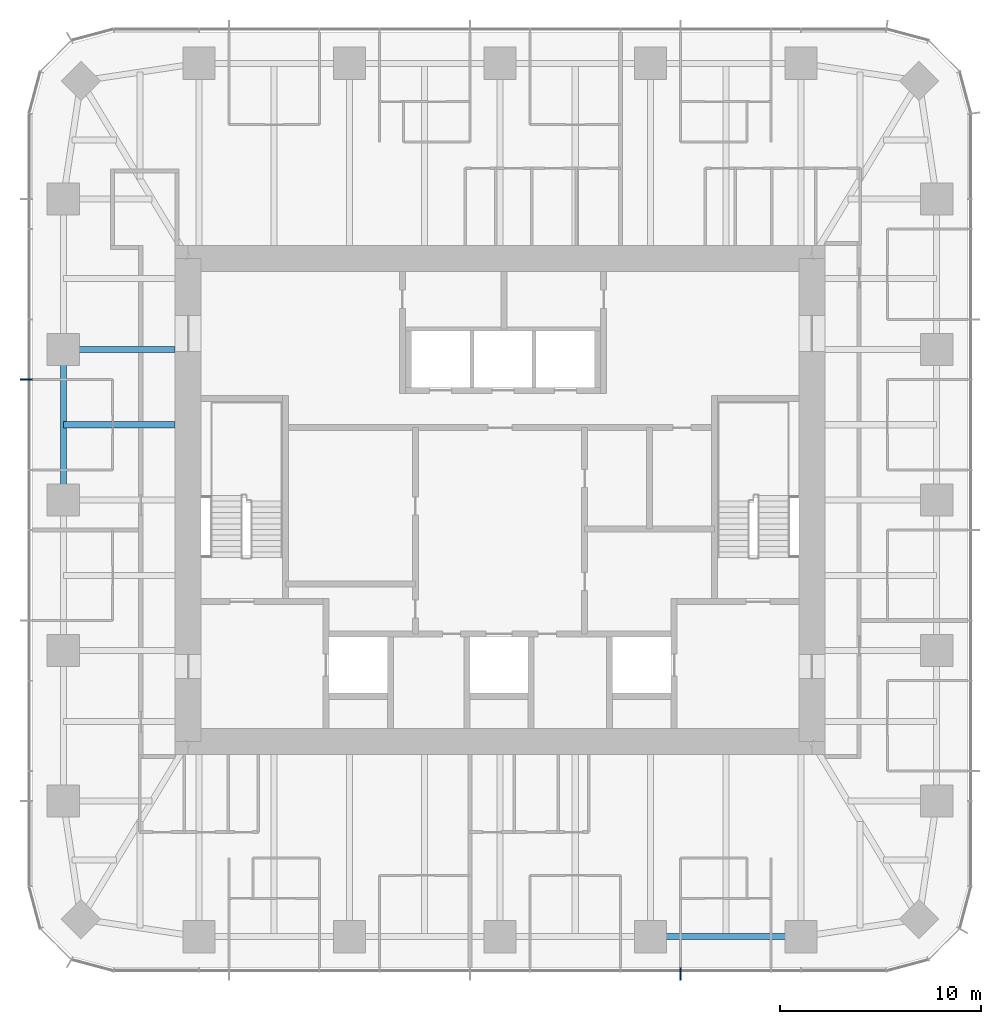
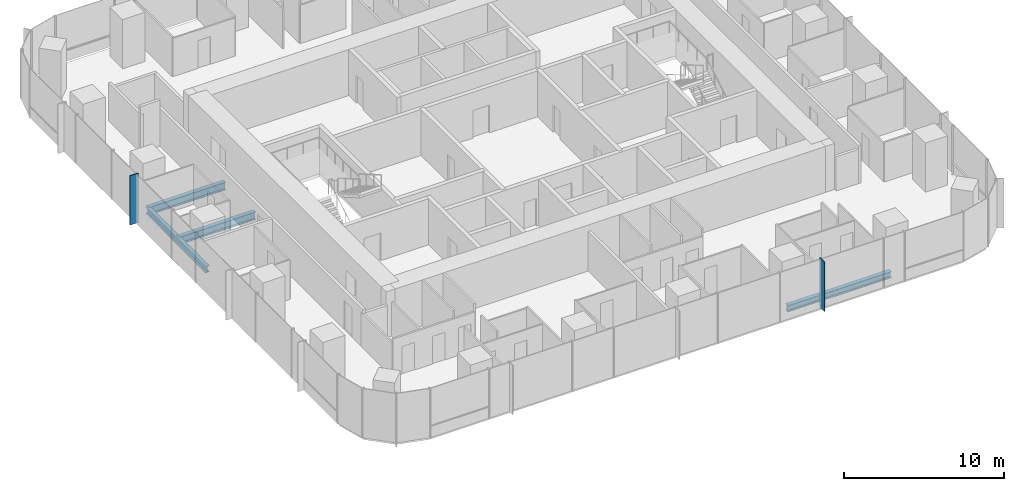
# One storey, part 3 of 12: 4 beams, 2 members, 2 elements without a shape of their own.
"""IFC4 building model written with IfcOpenShell, lengths in metres."""

from ifc_helpers import new_model, si_unit, direction, frame, origin, origin_2d, place, context, subcontext, project, spatial, rectangle, i_section, extrude, material, material_profile, profile_set, type_object, element, aggregate, save


model = new_model("IFC4")

# Units and contexts
model_context = context("Model", 3, precision=1e-05, world=origin(), true_north=direction((0.0, 1.0)))
body_context = subcontext(model_context, "Body", "Model", "MODEL_VIEW")
ifc_project = project(units=[si_unit("LENGTHUNIT", "METRE"), si_unit("AREAUNIT", "SQUARE_METRE"), si_unit("VOLUMEUNIT", "CUBIC_METRE"), si_unit("PLANEANGLEUNIT", "RADIAN"), si_unit("MASSUNIT", "GRAM", prefix="KILO")], contexts=[model_context])

# Site, building, storey
site_placement = place(None, origin())
site = spatial("IfcSite", under=ifc_project, at=site_placement, CompositionType="ELEMENT")
building_placement = place(site_placement, origin())
building = spatial("IfcBuilding", under=site, at=building_placement, Name="Khuree Lantern Residences", CompositionType="ELEMENT")
storey_placement = place(building_placement, frame((0.0, 0.0, 327.0)))
storey = spatial("IfcBuildingStorey", under=building, at=storey_placement, Name="L82", CompositionType="ELEMENT", Elevation=327.0)

# Beams
ifc_material_1 = material(Name="Steel S355", Category="steel")
ifc_material_profile_1 = material_profile(ifc_material_1, i_section(OverallWidth=0.300048828125, OverallDepth=0.590087890625, WebThickness=0.012939453125, FlangeThickness=0.02490234375, FilletRadius=0.027099609375, at=origin_2d()), Name="HE 600 A")
ifc_profile_set_1 = profile_set([ifc_material_profile_1], Name="Steel S355")
beam_type_1 = type_object("IfcBeamType", Name="B-43 SECONDARY BEAM HE 600 A", PredefinedType="BEAM", material=ifc_profile_set_1)
beam_1_placement = place(storey_placement, frame((-21.699951171875, 3.739990234375, -0.544921875), z_axis=(1.0, 0.0, 0.0), x_axis=(0.0, 1.0, 0.0)))
element("IfcBeam", 1, at=beam_1_placement, inside=storey, type_object=beam_type_1, Name="Secondary beam W4", PredefinedType="BEAM", context=body_context, shape_type="SweptSolid", body=[
    extrude(i_section(OverallWidth=0.300048828125, OverallDepth=0.590087890625, WebThickness=0.012939453125, FlangeThickness=0.02490234375, FilletRadius=0.027099609375, at=origin_2d()), origin(), (0.0, 0.0, 1.0), 5.550048828125),
])
ifc_material_profile_2 = material_profile(ifc_material_1, i_section(OverallWidth=0.300048828125, OverallDepth=0.489990234375, WebThickness=0.011962890625, FlangeThickness=0.02294921875, FilletRadius=0.027099609375, at=origin_2d()), Name="HE 500 A")
ifc_profile_set_2 = profile_set([ifc_material_profile_2], Name="Steel S355")
beam_type_2 = type_object("IfcBeamType", Name="E-43 SPANDREL BEAM HE 500 A", PredefinedType="SPANDREL", material=ifc_profile_set_2)
for number, where, z_axis, x_axis, name in (
    (2, (14.9599609375, -21.699951171875, -0.4951171875), (-1.0, 0.0, 0.0), (0.0, -1.0, 0.0), "Spandrel beam S2"),
    (3, (-21.699951171875, 0.0, -0.4951171875), (0.0, 1.0, 0.0), (-1.0, 0.0, 0.0), "Spandrel beam W4"),
):
    element("IfcBeam", number, at=place(storey_placement, frame(where, z_axis=z_axis, x_axis=x_axis)), inside=storey, type_object=beam_type_2, Name=name, PredefinedType="SPANDREL", context=body_context, shape_type="SweptSolid", body=[
        extrude(i_section(OverallWidth=0.300048828125, OverallDepth=0.489990234375, WebThickness=0.011962890625, FlangeThickness=0.02294921875, FilletRadius=0.027099609375, at=origin_2d()), origin(), (0.0, 0.0, 1.0), 7.47998046875),
    ])

# Curtain wall, member
ifc_material_2 = material(Name="Bronze anodised aluminium", Category="aluminium")
curtain_wall_type = type_object("IfcCurtainWallType", Name="CW-T1 TOWER FACE CURTAIN WALL", PredefinedType="USERDEFINED", material=ifc_material_2)
curtain_wall_1_placement = place(storey_placement, origin())
curtain_wall_1 = element("IfcCurtainWall", 4, at=curtain_wall_1_placement, inside=storey, type_object=curtain_wall_type, Name="L82 WEST FACE CURTAIN WALL", ObjectType="Stick-built curtain wall", PredefinedType="USERDEFINED")
ifc_material_profile_3 = material_profile(ifc_material_2, rectangle(XDim=0.06494140625, YDim=0.60009765625, at=origin_2d()), Name="F1 65X600")
ifc_profile_set_3 = profile_set([ifc_material_profile_3], Name="Bronze anodised aluminium")
member_type = type_object("IfcMemberType", Name="F1 BRONZE FIN MULLION TOWER 65X600", PredefinedType="MULLION", material=ifc_profile_set_3)
member_1_placement = place(storey_placement, frame((-23.550048828125, 5.98388671875, 0.0), z_axis=(0.0, 0.0, 1.0), x_axis=(0.0, -1.0, 0.0)))
member_1 = element("IfcMember", 5, at=member_1_placement, type_object=member_type, Name="L82 WEST FACE FIN MULLION 36", PredefinedType="MULLION", context=body_context, shape_type="SweptSolid", body=[
    extrude(rectangle(XDim=0.06494140625, YDim=0.60009765625, at=origin_2d()), origin(), (0.0, 0.0, 1.0), 3.75),
])
aggregate(curtain_wall_1, [member_1])

curtain_wall_2_placement = place(storey_placement, origin())
curtain_wall_2 = element("IfcCurtainWall", 6, at=curtain_wall_2_placement, inside=storey, type_object=curtain_wall_type, Name="L82 SOUTH FACE CURTAIN WALL", ObjectType="Stick-built curtain wall", PredefinedType="USERDEFINED")
member_2_placement = place(storey_placement, frame((8.97607421875, -23.550048828125, 0.0), z_axis=(0.0, 0.0, 1.0), x_axis=(1.0, 0.0, 0.0)))
member_2 = element("IfcMember", 7, at=member_2_placement, type_object=member_type, Name="L82 SOUTH FACE FIN MULLION 54", PredefinedType="MULLION", context=body_context, shape_type="SweptSolid", body=[
    extrude(rectangle(XDim=0.06494140625, YDim=0.60009765625, at=origin_2d()), origin(), (0.0, 0.0, 1.0), 3.75),
])
aggregate(curtain_wall_2, [member_2])

# Beam
ifc_material_profile_4 = material_profile(ifc_material_1, i_section(OverallWidth=0.300048828125, OverallDepth=0.60009765625, WebThickness=0.015380859375, FlangeThickness=0.030029296875, FilletRadius=0.027099609375, at=origin_2d()), Name="HE 600 B")
ifc_profile_set_4 = profile_set([ifc_material_profile_4], Name="Steel S355")
beam_type_3 = type_object("IfcBeamType", Name="G-43 GIRDER HE 600 B", PredefinedType="BEAM", material=ifc_profile_set_4)
beam_2_placement = place(storey_placement, frame((-21.699951171875, 7.47998046875, -0.550048828125), z_axis=(1.0, 0.0, 0.0), x_axis=(0.0, 1.0, 0.0)))
element("IfcBeam", 8, at=beam_2_placement, inside=storey, type_object=beam_type_3, Name="Girder W4", PredefinedType="BEAM", context=body_context, shape_type="SweptSolid", body=[
    extrude(i_section(OverallWidth=0.300048828125, OverallDepth=0.60009765625, WebThickness=0.015380859375, FlangeThickness=0.030029296875, FilletRadius=0.027099609375, at=origin_2d()), origin(), (0.0, 0.0, 1.0), 5.550048828125),
])

save(model, "model.ifc")
